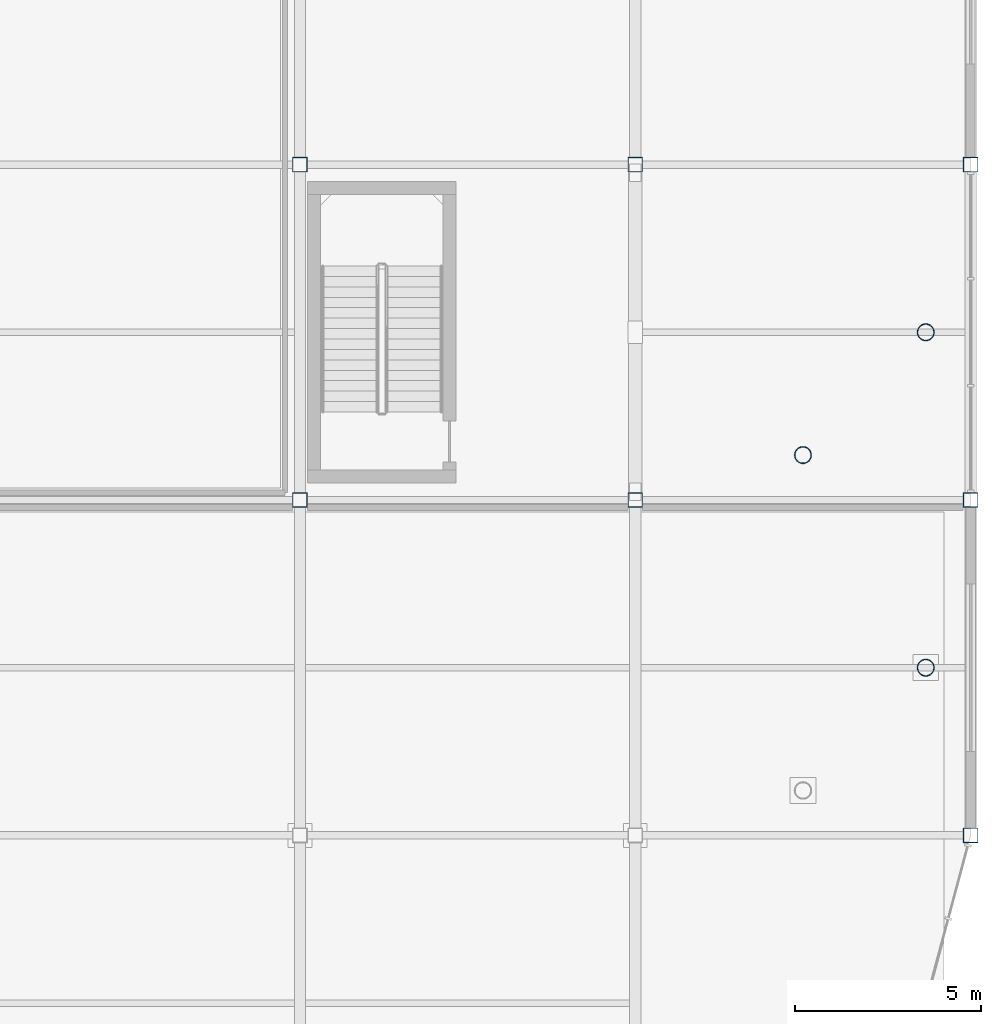
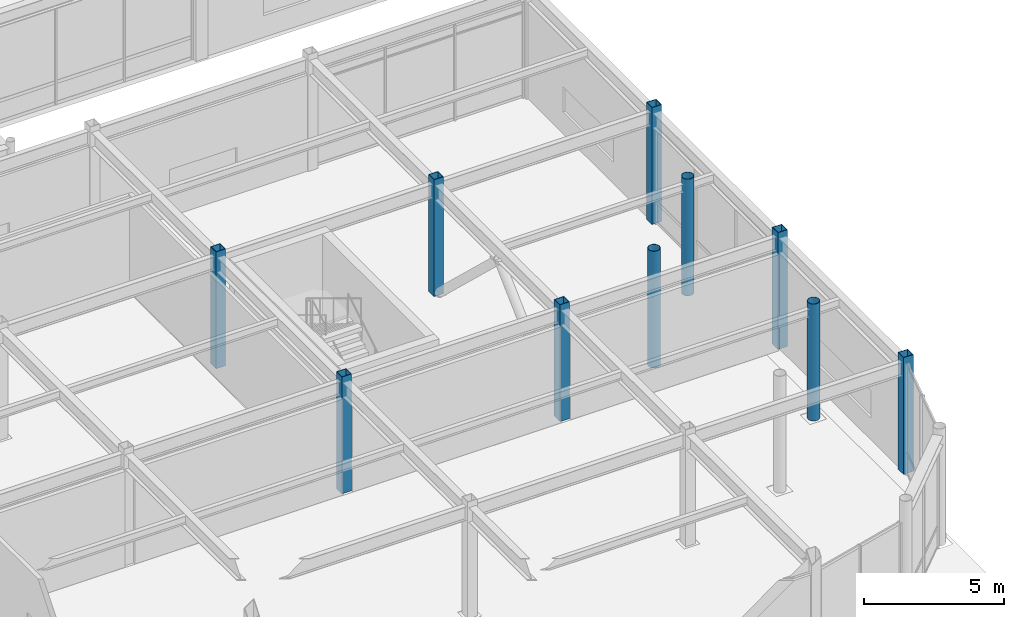
# One storey, part 23 of 123: 10 columns.
"""IFC4 building model written with IfcOpenShell, lengths in metres."""

from ifc_helpers import new_model, si_unit, direction, frame, origin, origin_2d, place, context, subcontext, project, spatial, hollow_rectangle, hollow_circle, extrude, material, material_profile, profile_set, type_object, element, save


model = new_model("IFC4")

# Units and contexts
model_context = context("Model", 3, precision=1e-05, world=origin(), true_north=direction((0.0, 1.0)))
body_context = subcontext(model_context, "Body", "Model", "MODEL_VIEW")
ifc_project = project(units=[si_unit("LENGTHUNIT", "METRE"), si_unit("AREAUNIT", "SQUARE_METRE"), si_unit("VOLUMEUNIT", "CUBIC_METRE"), si_unit("PLANEANGLEUNIT", "RADIAN"), si_unit("MASSUNIT", "GRAM", prefix="KILO")], contexts=[model_context])

# Site, building, storey
site_placement = place(None, origin())
site = spatial("IfcSite", under=ifc_project, at=site_placement, CompositionType="ELEMENT")
building_placement = place(site_placement, origin())
building = spatial("IfcBuilding", under=site, at=building_placement, Name="Suzunagisa Mobility Hub", CompositionType="ELEMENT")
storey_placement = place(building_placement, origin())
storey = spatial("IfcBuildingStorey", under=building, at=storey_placement, Name="L00", CompositionType="ELEMENT", Elevation=0.0)

# Columns
ifc_material = material(Name="Steel SN490B", Category="steel")
ifc_material_profile_1 = material_profile(ifc_material, hollow_circle(Radius=0.228515625, WallThickness=0.01611328125, at=origin_2d()), Name="CHS-457.2x16.0")
ifc_profile_set_1 = profile_set([ifc_material_profile_1], Name="Steel SN490B")
column_type_1 = type_object("IfcColumnType", Name="Steel Column CL-08 CHS-457.2x16.0", PredefinedType="COLUMN", material=ifc_profile_set_1)
for number, where, z_axis, x_axis, name in (
    (1, (175.5, 19.205810546875, 0.0), (0.0, 0.0, 1.0), (1.0, 0.0, 0.0), "L00 Column 311"),
    (2, (178.794189453125, 13.5, 0.0), (0.0, 0.0, 1.0), (1.0, 0.0, 0.0), "L00 Column 316"),
    (3, (178.794189453125, 22.5, 0.0), (0.0, 0.0, 1.0), (1.0, 0.0, 0.0), "L00 Column 317"),
):
    element("IfcColumn", number, at=place(storey_placement, frame(where, z_axis=z_axis, x_axis=x_axis)), inside=storey, type_object=column_type_1, Name=name, PredefinedType="COLUMN", context=body_context, shape_type="SweptSolid", body=[
        extrude(hollow_circle(Radius=0.228515625, WallThickness=0.01611328125, at=origin_2d()), origin(), (0.0, 0.0, 1.0), 5.10009765625),
    ])
ifc_material_profile_2 = material_profile(ifc_material, hollow_rectangle(XDim=0.39990234375, YDim=0.39990234375, WallThickness=0.01904296875, at=origin_2d()), Name="BCR-400x400x19")
ifc_profile_set_2 = profile_set([ifc_material_profile_2], Name="Steel SN490B")
column_type_2 = type_object("IfcColumnType", Name="Steel Column CL-13 BCR-400x400x19", PredefinedType="COLUMN", material=ifc_profile_set_2)
for number, where, z_axis, x_axis, name in (
    (4, (162.0, 18.0, 0.0), (0.0, 0.0, 1.0), (1.0, 0.0, 0.0), "L00 Column 285"),
    (5, (162.0, 27.0, 0.0), (0.0, 0.0, 1.0), (1.0, 0.0, 0.0), "L00 Column 286"),
    (6, (171.0, 18.0, 0.0), (0.0, 0.0, 1.0), (1.0, 0.0, 0.0), "L00 Column 298"),
    (7, (171.0, 27.0, 0.0), (0.0, 0.0, 1.0), (1.0, 0.0, 0.0), "L00 Column 299"),
    (8, (180.0, 9.0, 0.0), (0.0, 0.0, 1.0), (1.0, 0.0, 0.0), "L00 Column 321"),
    (9, (180.0, 18.0, 0.0), (0.0, 0.0, 1.0), (1.0, 0.0, 0.0), "L00 Column 322"),
    (10, (180.0, 27.0, 0.0), (0.0, 0.0, 1.0), (1.0, 0.0, 0.0), "L00 Column 323"),
):
    element("IfcColumn", number, at=place(storey_placement, frame(where, z_axis=z_axis, x_axis=x_axis)), inside=storey, type_object=column_type_2, Name=name, PredefinedType="COLUMN", context=body_context, shape_type="SweptSolid", body=[
        extrude(hollow_rectangle(XDim=0.39990234375, YDim=0.39990234375, WallThickness=0.01904296875, at=origin_2d()), origin(), (0.0, 0.0, 1.0), 5.10009765625),
    ])

save(model, "model.ifc")
